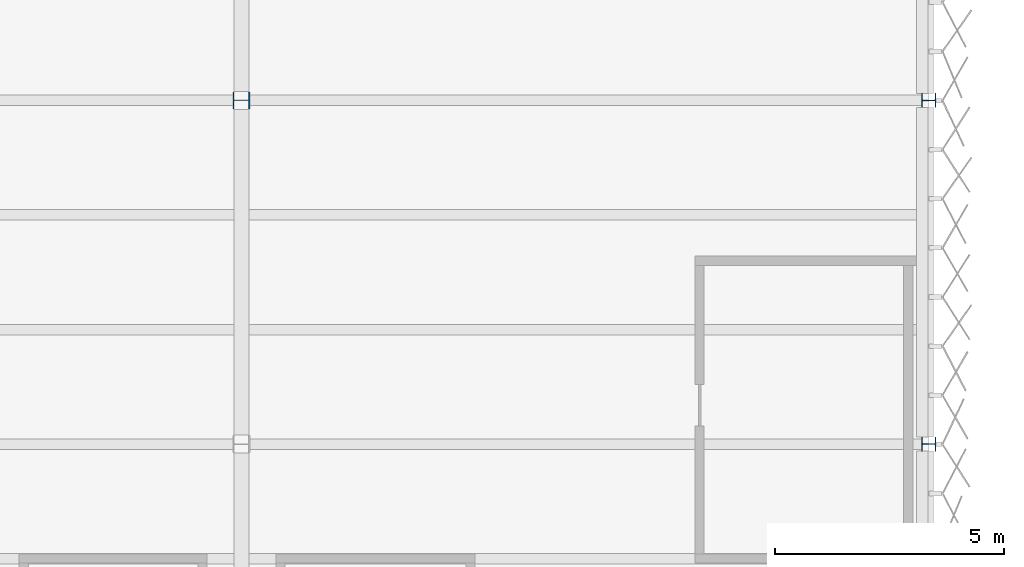
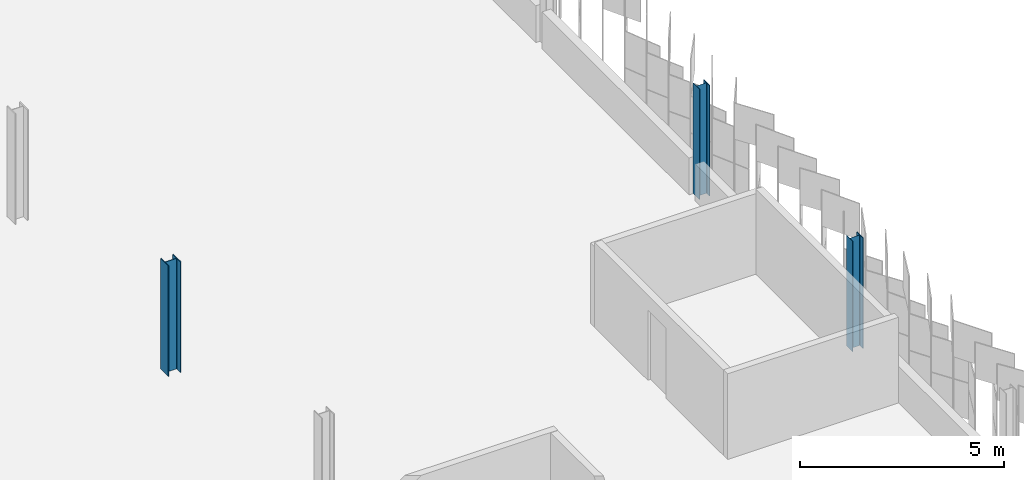
# One storey, part 18 of 198: 3 columns.
"""IFC4 building model written with IfcOpenShell, lengths in metres."""

from ifc_helpers import new_model, si_unit, direction, frame, origin, origin_2d, place, context, subcontext, project, spatial, i_section, extrude, material, material_profile, profile_set, type_object, element, save


model = new_model("IFC4")

# Units and contexts
model_context = context("Model", 3, precision=1e-05, world=origin(), true_north=direction((0.0, 1.0)))
body_context = subcontext(model_context, "Body", "Model", "MODEL_VIEW")
ifc_project = project(units=[si_unit("LENGTHUNIT", "METRE"), si_unit("AREAUNIT", "SQUARE_METRE"), si_unit("VOLUMEUNIT", "CUBIC_METRE"), si_unit("PLANEANGLEUNIT", "RADIAN"), si_unit("MASSUNIT", "GRAM", prefix="KILO")], contexts=[model_context])

# Site, building, storey
site_placement = place(None, origin())
site = spatial("IfcSite", under=ifc_project, at=site_placement, CompositionType="ELEMENT")
building_placement = place(site_placement, origin())
building = spatial("IfcBuilding", under=site, at=building_placement, Name="Parallax Yard Mobility Hub", CompositionType="ELEMENT")
storey_placement = place(building_placement, frame((0.0, 0.0, 6.60009765625)))
storey = spatial("IfcBuildingStorey", under=building, at=storey_placement, Name="L02", CompositionType="ELEMENT", Elevation=6.60009765625)

# Columns
ifc_material = material(Name="Steel ASTM A992", Category="steel")
ifc_material_profile_1 = material_profile(ifc_material, i_section(OverallWidth=0.304931640625, OverallDepth=0.306884765625, WebThickness=0.010009765625, FlangeThickness=0.015380859375, FilletRadius=0.01513671875, at=origin_2d()), Name="W310x97")
ifc_profile_set_1 = profile_set([ifc_material_profile_1], Name="Steel ASTM A992")
column_type_1 = type_object("IfcColumnType", Name="W310x97 column", PredefinedType="COLUMN", material=ifc_profile_set_1)
for number, where, z_axis, x_axis, name in (
    (1, (225.0, 67.5, 0.0), (0.0, 0.0, 1.0), (0.0, 1.0, 0.0), "Column C1 level L02 at K/31 of ramped parking decks"),
    (2, (225.0, 60.0, 0.0), (0.0, 0.0, 1.0), (0.0, 1.0, 0.0), "Column C1 level L02 at J/31 of ramped parking decks"),
):
    element("IfcColumn", number, at=place(storey_placement, frame(where, z_axis=z_axis, x_axis=x_axis)), inside=storey, type_object=column_type_1, Name=name, PredefinedType="COLUMN", context=body_context, shape_type="SweptSolid", body=[
        extrude(i_section(OverallWidth=0.304931640625, OverallDepth=0.306884765625, WebThickness=0.010009765625, FlangeThickness=0.015380859375, FilletRadius=0.01513671875, at=origin_2d()), origin(), (0.0, 0.0, 1.0), 3.2998046875),
    ])
ifc_material_profile_2 = material_profile(ifc_material, i_section(OverallWidth=0.373046875, OverallDepth=0.367919921875, WebThickness=0.014892578125, FlangeThickness=0.02392578125, FilletRadius=0.01513671875, at=origin_2d()), Name="W360x179")
ifc_profile_set_2 = profile_set([ifc_material_profile_2], Name="Steel ASTM A992")
column_type_2 = type_object("IfcColumnType", Name="W360x179 column", PredefinedType="COLUMN", material=ifc_profile_set_2)
column_placement = place(storey_placement, frame((210.0, 67.5, 0.0), z_axis=(0.0, 0.0, 1.0), x_axis=(0.0, 1.0, 0.0)))
element("IfcColumn", 3, at=column_placement, inside=storey, type_object=column_type_2, Name="Column C7 level L02 at K/29 of ramped parking decks", PredefinedType="COLUMN", context=body_context, shape_type="SweptSolid", body=[
    extrude(i_section(OverallWidth=0.373046875, OverallDepth=0.367919921875, WebThickness=0.014892578125, FlangeThickness=0.02392578125, FilletRadius=0.01513671875, at=origin_2d()), origin(), (0.0, 0.0, 1.0), 3.2998046875),
])

save(model, "model.ifc")
